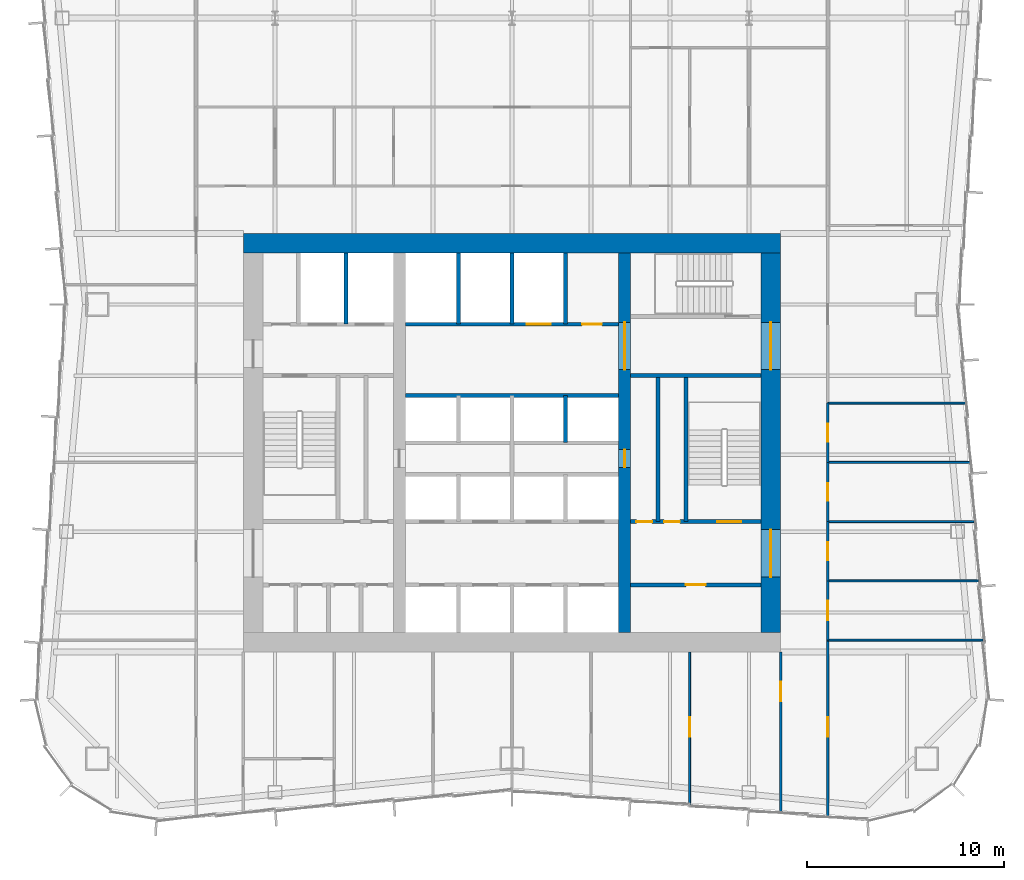
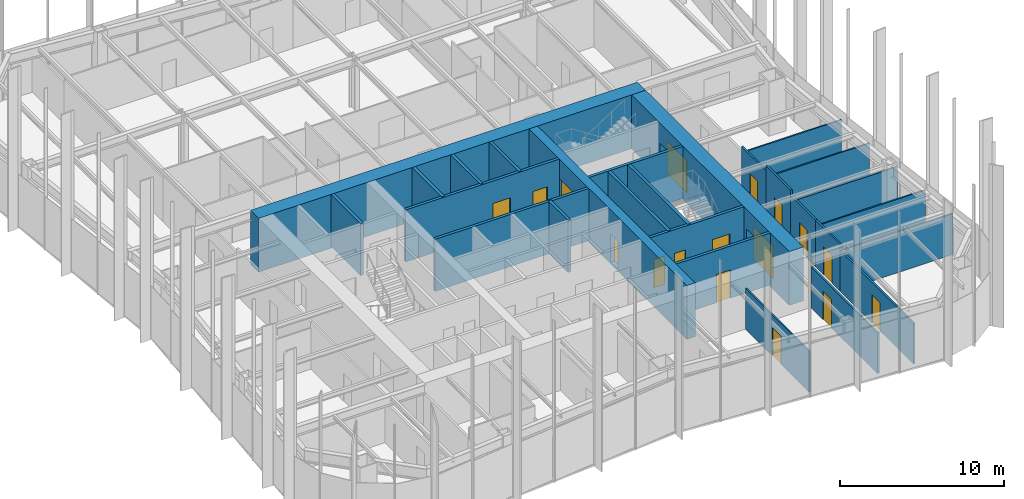
# One storey, part 11 of 14: 27 walls, 17 doors, 17 openings.
"""IFC4 building model written with IfcOpenShell, lengths in metres."""

from ifc_helpers import new_model, si_unit, direction, frame, frame_2d, origin, place, context, subcontext, project, spatial, rectangle, extrude, material, layer, layer_set, type_object, element, fill, save


model = new_model("IFC4")

# Units and contexts
model_context = context("Model", 3, precision=1e-05, world=origin(), true_north=direction((0.0, 1.0)))
body_context = subcontext(model_context, "Body", "Model", "MODEL_VIEW")
ifc_project = project(units=[si_unit("LENGTHUNIT", "METRE"), si_unit("AREAUNIT", "SQUARE_METRE"), si_unit("VOLUMEUNIT", "CUBIC_METRE"), si_unit("PLANEANGLEUNIT", "RADIAN"), si_unit("MASSUNIT", "GRAM", prefix="KILO")], contexts=[model_context])

# Site, building, storey
site_placement = place(None, origin())
site = spatial("IfcSite", under=ifc_project, at=site_placement, CompositionType="ELEMENT")
building_placement = place(site_placement, origin())
building = spatial("IfcBuilding", under=site, at=building_placement, Name="Verdant Reach Tower", CompositionType="ELEMENT")
storey_placement = place(building_placement, frame((0.0, 0.0, 150.0)))
storey = spatial("IfcBuildingStorey", under=building, at=storey_placement, Name="L34", CompositionType="ELEMENT", Elevation=150.0)

# Wall, opening, door
ifc_material_1 = material(Name="Gypsum board on steel studs", Category="steel")
ifc_layer_1 = layer(ifc_material_1, 0.199951171875)
ifc_layer_set_1 = layer_set([ifc_layer_1], Name="CO-WALL-ROOM")
wall_type_1 = type_object("IfcWallType", Name="CO-WALL-ROOM", PredefinedType="PARTITIONING", material=ifc_layer_set_1)
wall_1_placement = place(storey_placement, frame((6.0, 20.800048828125, 0.0), z_axis=(0.0, 0.0, 1.0), x_axis=(1.0, 0.0, 0.0)))
wall_1 = element("IfcWall", 1, at=wall_1_placement, inside=storey, type_object=wall_type_1, Name="Core partition, L34", PredefinedType="PARTITIONING", context=body_context, shape_type="SweptSolid", body=[
    extrude(rectangle(XDim=6.60009765625, YDim=0.199951171875, at=frame_2d((3.300048828125, 0.0))), origin(), (0.0, 0.0, 1.0), 3.8701171875),
])
opening_1_placement = place(wall_1_placement, frame((2.800048828125, 0.0, 0.0)))
opening_1 = element("IfcOpeningElement", 2, at=opening_1_placement, cuts=wall_1, Name="Opening CD", PredefinedType="OPENING", context=body_context, shape_type="SweptSolid", body=[
    extrude(rectangle(XDim=1.0, YDim=2.10009765625, at=frame_2d((0.5, 1.050048828125))), frame((0.0, 0.10986328125, 0.0), z_axis=(0.0, -1.0, 0.0), x_axis=(1.0, 0.0, 0.0)), (0.0, 0.0, 1.0), 0.219970703125),
])
ifc_material_2 = material(Name="Timber", Category="wood")
door_type_1 = type_object("IfcDoorType", Name="CO-DOOR-ROOM", OperationType="NOTDEFINED", PredefinedType="DOOR", material=ifc_material_2)
door_1_placement = place(opening_1_placement, origin())
door_1 = element("IfcDoor", 3, at=door_1_placement, inside=storey, type_object=door_type_1, Name="Core room door, L34", OperationType="SINGLE_SWING_LEFT", OverallHeight=2.10009765625, OverallWidth=1.0, PredefinedType="DOOR", context=body_context, shape_type="SweptSolid", body=[
    extrude(rectangle(XDim=1.0, YDim=2.10009765625, at=frame_2d((0.5, 1.050048828125))), frame((0.0, 0.02490234375, 0.0), z_axis=(0.0, -1.0, 0.0), x_axis=(1.0, 0.0, 0.0)), (0.0, 0.0, 1.0), 0.050048828125),
])
fill(opening_1, door_1)

# Walls
wall_2_placement = place(storey_placement, frame((7.39990234375, 24.0, 0.0), z_axis=(0.0, 0.0, 1.0), x_axis=(0.0, 1.0, 0.0)))
element("IfcWall", 4, at=wall_2_placement, inside=storey, type_object=wall_type_1, Name="Core partition, L34", PredefinedType="PARTITIONING", context=body_context, shape_type="SweptSolid", body=[
    extrude(rectangle(XDim=7.39990234375, YDim=0.199951171875, at=frame_2d((3.699951171875, 0.0))), origin(), (0.0, 0.0, 1.0), 3.8701171875),
])
ifc_material_3 = material(Name="Concrete C40/50", Category="concrete")
ifc_layer_2 = layer(ifc_material_3, 0.199951171875)
ifc_layer_set_2 = layer_set([ifc_layer_2], Name="CO-WALL-SHAFT")
wall_type_2 = type_object("IfcWallType", Name="CO-WALL-SHAFT", PredefinedType="PARTITIONING", material=ifc_layer_set_2)
wall_3_placement = place(storey_placement, frame((-5.39990234375, 30.39990234375, 0.0), z_axis=(0.0, 0.0, 1.0), x_axis=(1.0, 0.0, 0.0)))
element("IfcWall", 5, at=wall_3_placement, inside=storey, type_object=wall_type_2, Name="Lift shaft wall, L34", PredefinedType="PARTITIONING", context=body_context, shape_type="SweptSolid", body=[
    extrude(rectangle(XDim=10.7998046875, YDim=0.199951171875, at=frame_2d((5.39990234375, 0.0))), origin(), (0.0, 0.0, 1.0), 3.8701171875),
])

# Wall, openings, doors
wall_4_placement = place(storey_placement, frame((-5.39990234375, 34.0, 0.0), z_axis=(0.0, 0.0, 1.0), x_axis=(1.0, 0.0, 0.0)))
wall_4 = element("IfcWall", 6, at=wall_4_placement, inside=storey, type_object=wall_type_2, Name="Lift shaft wall, L34", PredefinedType="PARTITIONING", context=body_context, shape_type="SweptSolid", body=[
    extrude(rectangle(XDim=10.7998046875, YDim=0.199951171875, at=frame_2d((5.39990234375, 0.0))), origin(), (0.0, 0.0, 1.0), 3.8701171875),
])
opening_2_placement = place(wall_4_placement, frame((6.14990234375, 0.0, 0.0)))
opening_2 = element("IfcOpeningElement", 7, at=opening_2_placement, cuts=wall_4, Name="Opening LD-SL1", PredefinedType="OPENING", context=body_context, shape_type="SweptSolid", body=[
    extrude(rectangle(XDim=1.199951171875, YDim=2.199951171875, at=frame_2d((0.60009765625, 1.10009765625))), frame((0.0, 0.10986328125, 0.0), z_axis=(0.0, -1.0, 0.0), x_axis=(1.0, 0.0, 0.0)), (0.0, 0.0, 1.0), 0.219970703125),
])
opening_3_placement = place(wall_4_placement, frame((8.949951171875, 0.0, 0.0)))
opening_3 = element("IfcOpeningElement", 8, at=opening_3_placement, cuts=wall_4, Name="Opening CD", PredefinedType="OPENING", context=body_context, shape_type="SweptSolid", body=[
    extrude(rectangle(XDim=1.0, YDim=2.10009765625, at=frame_2d((0.5, 1.050048828125))), frame((0.0, 0.10986328125, 0.0), z_axis=(0.0, -1.0, 0.0), x_axis=(1.0, 0.0, 0.0)), (0.0, 0.0, 1.0), 0.219970703125),
])
ifc_material_4 = material(Name="Stainless steel", Category="steel")
door_type_2 = type_object("IfcDoorType", Name="CO-DOOR-LANDING", OperationType="SLIDING_TO_LEFT", PredefinedType="DOOR", material=ifc_material_4)
door_2_placement = place(opening_2_placement, origin())
door_2 = element("IfcDoor", 9, at=door_2_placement, inside=storey, type_object=door_type_2, Name="Landing door SL1, L34", OperationType="SLIDING_TO_LEFT", OverallHeight=2.199951171875, OverallWidth=1.199951171875, PredefinedType="DOOR", context=body_context, shape_type="SweptSolid", body=[
    extrude(rectangle(XDim=1.199951171875, YDim=2.199951171875, at=frame_2d((0.60009765625, 1.10009765625))), frame((0.0, 0.02490234375, 0.0), z_axis=(0.0, -1.0, 0.0), x_axis=(1.0, 0.0, 0.0)), (0.0, 0.0, 1.0), 0.050048828125),
])
fill(opening_2, door_2)
door_3_placement = place(opening_3_placement, origin())
door_3 = element("IfcDoor", 10, at=door_3_placement, inside=storey, type_object=door_type_1, Name="Core room door, L34", OperationType="SINGLE_SWING_LEFT", OverallHeight=2.10009765625, OverallWidth=1.0, PredefinedType="DOOR", context=body_context, shape_type="SweptSolid", body=[
    extrude(rectangle(XDim=1.0, YDim=2.10009765625, at=frame_2d((0.5, 1.050048828125))), frame((0.0, 0.02490234375, 0.0), z_axis=(0.0, -1.0, 0.0), x_axis=(1.0, 0.0, 0.0)), (0.0, 0.0, 1.0), 0.050048828125),
])
fill(opening_3, door_3)

# Walls
for number, where, z_axis, x_axis, name in (
    (11, (-8.39990234375, 34.0, 0.0), (0.0, 0.0, 1.0), (0.0, 1.0, 0.0), "Lift shaft wall, L34"),
    (12, (-2.699951171875, 34.0, 0.0), (0.0, 0.0, 1.0), (0.0, 1.0, 0.0), "Lift shaft wall, L34"),
    (13, (0.0, 34.0, 0.0), (0.0, 0.0, 1.0), (0.0, 1.0, 0.0), "Lift shaft wall, L34"),
):
    element("IfcWall", number, at=place(storey_placement, frame(where, z_axis=z_axis, x_axis=x_axis)), inside=storey, type_object=wall_type_2, Name=name, PredefinedType="PARTITIONING", context=body_context, shape_type="SweptSolid", body=[
        extrude(rectangle(XDim=3.60009765625, YDim=0.199951171875, at=frame_2d((1.800048828125, 0.0))), origin(), (0.0, 0.0, 1.0), 3.8701171875),
    ])
wall_5_placement = place(storey_placement, frame((2.699951171875, 28.0, 0.0), z_axis=(0.0, 0.0, 1.0), x_axis=(0.0, 1.0, 0.0)))
element("IfcWall", 14, at=wall_5_placement, inside=storey, type_object=wall_type_2, Name="Lift shaft wall, L34", PredefinedType="PARTITIONING", context=body_context, shape_type="SweptSolid", body=[
    extrude(rectangle(XDim=2.39990234375, YDim=0.199951171875, at=frame_2d((1.199951171875, 0.0))), origin(), (0.0, 0.0, 1.0), 3.8701171875),
])
wall_6_placement = place(storey_placement, frame((2.699951171875, 34.0, 0.0), z_axis=(0.0, 0.0, 1.0), x_axis=(0.0, 1.0, 0.0)))
element("IfcWall", 15, at=wall_6_placement, inside=storey, type_object=wall_type_2, Name="Lift shaft wall, L34", PredefinedType="PARTITIONING", context=body_context, shape_type="SweptSolid", body=[
    extrude(rectangle(XDim=3.60009765625, YDim=0.199951171875, at=frame_2d((1.800048828125, 0.0))), origin(), (0.0, 0.0, 1.0), 3.8701171875),
])

# Wall, openings, doors
ifc_layer_3 = layer(ifc_material_3, 0.199951171875)
ifc_layer_set_3 = layer_set([ifc_layer_3], Name="CO-WALL-STAIR")
wall_type_3 = type_object("IfcWallType", Name="CO-WALL-STAIR", PredefinedType="PARTITIONING", material=ifc_layer_set_3)
wall_7_placement = place(storey_placement, frame((6.0, 24.0, 0.0), z_axis=(0.0, 0.0, 1.0), x_axis=(1.0, 0.0, 0.0)))
wall_7 = element("IfcWall", 16, at=wall_7_placement, inside=storey, type_object=wall_type_3, Name="Stair enclosure wall, L34", PredefinedType="PARTITIONING", context=body_context, shape_type="SweptSolid", body=[
    extrude(rectangle(XDim=6.60009765625, YDim=0.199951171875, at=frame_2d((3.300048828125, 0.0))), origin(), (0.0, 0.0, 1.0), 3.8701171875),
])
opening_4_placement = place(wall_7_placement, frame((0.300048828125, 0.0, 0.0)))
opening_4 = element("IfcOpeningElement", 17, at=opening_4_placement, cuts=wall_7, Name="Opening CDN", PredefinedType="OPENING", context=body_context, shape_type="SweptSolid", body=[
    extrude(rectangle(XDim=0.800048828125, YDim=2.10009765625, at=frame_2d((0.39990234375, 1.050048828125))), frame((0.0, 0.10986328125, 0.0), z_axis=(0.0, -1.0, 0.0), x_axis=(1.0, 0.0, 0.0)), (0.0, 0.0, 1.0), 0.219970703125),
])
opening_5_placement = place(wall_7_placement, frame((1.699951171875, 0.0, 0.0)))
opening_5 = element("IfcOpeningElement", 18, at=opening_5_placement, cuts=wall_7, Name="Opening CDN", PredefinedType="OPENING", context=body_context, shape_type="SweptSolid", body=[
    extrude(rectangle(XDim=0.800048828125, YDim=2.10009765625, at=frame_2d((0.39990234375, 1.050048828125))), frame((0.0, 0.10986328125, 0.0), z_axis=(0.0, -1.0, 0.0), x_axis=(1.0, 0.0, 0.0)), (0.0, 0.0, 1.0), 0.219970703125),
])
opening_6_placement = place(wall_7_placement, frame((4.39990234375, 0.0, 0.0)))
opening_6 = element("IfcOpeningElement", 19, at=opening_6_placement, cuts=wall_7, Name="Opening SD", PredefinedType="OPENING", context=body_context, shape_type="SweptSolid", body=[
    extrude(rectangle(XDim=1.199951171875, YDim=2.199951171875, at=frame_2d((0.60009765625, 1.10009765625))), frame((0.0, 0.10986328125, 0.0), z_axis=(0.0, -1.0, 0.0), x_axis=(1.0, 0.0, 0.0)), (0.0, 0.0, 1.0), 0.219970703125),
])
door_type_3 = type_object("IfcDoorType", Name="CO-DOOR-ROOM-NARROW", OperationType="NOTDEFINED", PredefinedType="DOOR", material=ifc_material_2)
door_4_placement = place(opening_4_placement, origin())
door_4 = element("IfcDoor", 20, at=door_4_placement, inside=storey, type_object=door_type_3, Name="Core room door, L34", OperationType="SINGLE_SWING_RIGHT", OverallHeight=2.10009765625, OverallWidth=0.800048828125, PredefinedType="DOOR", context=body_context, shape_type="SweptSolid", body=[
    extrude(rectangle(XDim=0.800048828125, YDim=2.10009765625, at=frame_2d((0.39990234375, 1.050048828125))), frame((0.0, 0.02490234375, 0.0), z_axis=(0.0, -1.0, 0.0), x_axis=(1.0, 0.0, 0.0)), (0.0, 0.0, 1.0), 0.050048828125),
])
fill(opening_4, door_4)
door_5_placement = place(opening_5_placement, origin())
door_5 = element("IfcDoor", 21, at=door_5_placement, inside=storey, type_object=door_type_3, Name="Core room door, L34", OperationType="SINGLE_SWING_LEFT", OverallHeight=2.10009765625, OverallWidth=0.800048828125, PredefinedType="DOOR", context=body_context, shape_type="SweptSolid", body=[
    extrude(rectangle(XDim=0.800048828125, YDim=2.10009765625, at=frame_2d((0.39990234375, 1.050048828125))), frame((0.0, 0.02490234375, 0.0), z_axis=(0.0, -1.0, 0.0), x_axis=(1.0, 0.0, 0.0)), (0.0, 0.0, 1.0), 0.050048828125),
])
fill(opening_5, door_5)
ifc_material_5 = material(Name="Steel", Category="steel")
door_type_4 = type_object("IfcDoorType", Name="CO-DOOR-STAIR", OperationType="NOTDEFINED", PredefinedType="DOOR", material=ifc_material_5)
door_6_placement = place(opening_6_placement, origin())
door_6 = element("IfcDoor", 22, at=door_6_placement, inside=storey, type_object=door_type_4, Name="Stair door, L34", OperationType="SINGLE_SWING_LEFT", OverallHeight=2.199951171875, OverallWidth=1.199951171875, PredefinedType="DOOR", context=body_context, shape_type="SweptSolid", body=[
    extrude(rectangle(XDim=1.199951171875, YDim=2.199951171875, at=frame_2d((0.60009765625, 1.10009765625))), frame((0.0, 0.02490234375, 0.0), z_axis=(0.0, -1.0, 0.0), x_axis=(1.0, 0.0, 0.0)), (0.0, 0.0, 1.0), 0.050048828125),
])
fill(opening_6, door_6)

# Walls
wall_8_placement = place(storey_placement, frame((6.0, 31.39990234375, 0.0), z_axis=(0.0, 0.0, 1.0), x_axis=(1.0, 0.0, 0.0)))
element("IfcWall", 23, at=wall_8_placement, inside=storey, type_object=wall_type_3, Name="Stair enclosure wall, L34", PredefinedType="PARTITIONING", context=body_context, shape_type="SweptSolid", body=[
    extrude(rectangle(XDim=6.60009765625, YDim=0.199951171875, at=frame_2d((3.300048828125, 0.0))), origin(), (0.0, 0.0, 1.0), 3.8701171875),
])
wall_9_placement = place(storey_placement, frame((8.800048828125, 24.0, 0.0), z_axis=(0.0, 0.0, 1.0), x_axis=(0.0, 1.0, 0.0)))
element("IfcWall", 24, at=wall_9_placement, inside=storey, type_object=wall_type_3, Name="Stair enclosure wall, L34", PredefinedType="PARTITIONING", context=body_context, shape_type="SweptSolid", body=[
    extrude(rectangle(XDim=7.39990234375, YDim=0.199951171875, at=frame_2d((3.699951171875, 0.0))), origin(), (0.0, 0.0, 1.0), 3.8701171875),
])
ifc_layer_4 = layer(ifc_material_1, 0.10009765625)
ifc_layer_set_4 = layer_set([ifc_layer_4], Name="FL-W1 Partition 100")
wall_type_4 = type_object("IfcWallType", Name="FL-W1 Partition 100", PredefinedType="PARTITIONING", material=ifc_layer_set_4)
wall_10_placement = place(storey_placement, frame((23.85498046875, 18.0, 0.0), z_axis=(0.0, 0.0, 1.0), x_axis=(-1.0, 0.0, 0.0)))
element("IfcWall", 25, at=wall_10_placement, inside=storey, type_object=wall_type_4, Name="Partition 34.28", PredefinedType="PARTITIONING", context=body_context, shape_type="SweptSolid", body=[
    extrude(rectangle(XDim=7.85498046875, YDim=0.10009765625, at=frame_2d((3.927490234375, 0.0))), origin(), (0.0, 0.0, 1.0), 3.0400390625),
])
wall_11_placement = place(storey_placement, frame((23.6298828125, 21.0, 0.0), z_axis=(0.0, 0.0, 1.0), x_axis=(-1.0, 0.0, 0.0)))
element("IfcWall", 26, at=wall_11_placement, inside=storey, type_object=wall_type_4, Name="Partition 34.29", PredefinedType="PARTITIONING", context=body_context, shape_type="SweptSolid", body=[
    extrude(rectangle(XDim=7.6298828125, YDim=0.10009765625, at=frame_2d((3.81494140625, 0.0))), origin(), (0.0, 0.0, 1.0), 3.0400390625),
])
wall_12_placement = place(storey_placement, frame((23.405029296875, 24.0, 0.0), z_axis=(0.0, 0.0, 1.0), x_axis=(-1.0, 0.0, 0.0)))
element("IfcWall", 27, at=wall_12_placement, inside=storey, type_object=wall_type_4, Name="Partition 34.30", PredefinedType="PARTITIONING", context=body_context, shape_type="SweptSolid", body=[
    extrude(rectangle(XDim=7.405029296875, YDim=0.10009765625, at=frame_2d((3.70263671875, 0.0))), origin(), (0.0, 0.0, 1.0), 3.0400390625),
])
wall_13_placement = place(storey_placement, frame((23.179931640625, 27.0, 0.0), z_axis=(0.0, 0.0, 1.0), x_axis=(-1.0, 0.0, 0.0)))
element("IfcWall", 28, at=wall_13_placement, inside=storey, type_object=wall_type_4, Name="Partition 34.31", PredefinedType="PARTITIONING", context=body_context, shape_type="SweptSolid", body=[
    extrude(rectangle(XDim=7.179931640625, YDim=0.10009765625, at=frame_2d((3.58984375, 0.0))), origin(), (0.0, 0.0, 1.0), 3.0400390625),
])
wall_14_placement = place(storey_placement, frame((22.955078125, 30.0, 0.0), z_axis=(0.0, 0.0, 1.0), x_axis=(-1.0, 0.0, 0.0)))
element("IfcWall", 29, at=wall_14_placement, inside=storey, type_object=wall_type_4, Name="Partition 34.32", PredefinedType="PARTITIONING", context=body_context, shape_type="SweptSolid", body=[
    extrude(rectangle(XDim=6.955078125, YDim=0.10009765625, at=frame_2d((3.4775390625, 0.0))), origin(), (0.0, 0.0, 1.0), 3.0400390625),
])

# Wall, opening, door
wall_15_placement = place(storey_placement, frame((9.0, 9.669921875, 0.0), z_axis=(0.0, 0.0, 1.0), x_axis=(0.0, 1.0, 0.0)))
wall_15 = element("IfcWall", 30, at=wall_15_placement, inside=storey, type_object=wall_type_4, Name="Partition 34.42", PredefinedType="PARTITIONING", context=body_context, shape_type="SweptSolid", body=[
    extrude(rectangle(XDim=7.72998046875, YDim=0.10009765625, at=frame_2d((3.864990234375, 0.0))), origin(), (0.0, 0.0, 1.0), 3.0400390625),
])
opening_7_placement = place(wall_15_placement, frame((3.43017578125, 0.0, 0.0)))
opening_7 = element("IfcOpeningElement", 31, at=opening_7_placement, cuts=wall_15, Name="Opening D3", PredefinedType="OPENING", context=body_context, shape_type="SweptSolid", body=[
    extrude(rectangle(XDim=1.0, YDim=2.10009765625, at=frame_2d((0.5, 1.050048828125))), frame((0.0, 0.06005859375, 0.0), z_axis=(0.0, -1.0, 0.0), x_axis=(1.0, 0.0, 0.0)), (0.0, 0.0, 1.0), 0.1201171875),
])
ifc_material_6 = material(Name="Painted timber door leaf", Category="wood")
door_type_5 = type_object("IfcDoorType", Name="FL-D3 Door 1000x2100", OperationType="NOTDEFINED", PredefinedType="DOOR", material=ifc_material_6)
door_7_placement = place(opening_7_placement, origin())
door_7 = element("IfcDoor", 32, at=door_7_placement, inside=storey, type_object=door_type_5, Name="Door 34-020", OperationType="SINGLE_SWING_RIGHT", OverallHeight=2.10009765625, OverallWidth=1.0, PredefinedType="DOOR", context=body_context, shape_type="SweptSolid", body=[
    extrude(rectangle(XDim=1.0, YDim=2.10009765625, at=frame_2d((0.5, 1.050048828125))), frame((0.0, 0.02490234375, 0.0), z_axis=(0.0, -1.0, 0.0), x_axis=(1.0, 0.0, 0.0)), (0.0, 0.0, 1.0), 0.050048828125),
])
fill(opening_7, door_7)

ifc_material_7 = material(Name="Gypsum board on steel studs, fire rated", Category="steel")
ifc_layer_5 = layer(ifc_material_7, 0.125)
ifc_layer_set_5 = layer_set([ifc_layer_5], Name="FL-W2 Corridor wall 125")
wall_type_5 = type_object("IfcWallType", Name="FL-W2 Corridor wall 125", PredefinedType="PARTITIONING", material=ifc_layer_set_5)
wall_16_placement = place(storey_placement, frame((16.0, 9.086669921875, 0.0), z_axis=(0.0, 0.0, 1.0), x_axis=(0.0, 1.0, 0.0)))
wall_16 = element("IfcWall", 33, at=wall_16_placement, inside=storey, type_object=wall_type_5, Name="Partition 34.05", PredefinedType="PARTITIONING", context=body_context, shape_type="SweptSolid", body=[
    extrude(rectangle(XDim=8.913330078125, YDim=0.125, at=frame_2d((4.45654296875, 0.0))), origin(), (0.0, 0.0, 1.0), 3.0400390625),
])
opening_8_placement = place(wall_16_placement, frame((4.021728515625, 0.0, 0.0)))
opening_8 = element("IfcOpeningElement", 34, at=opening_8_placement, cuts=wall_16, Name="Opening D2", PredefinedType="OPENING", context=body_context, shape_type="SweptSolid", body=[
    extrude(rectangle(XDim=1.0, YDim=2.10009765625, at=frame_2d((0.5, 1.050048828125))), frame((0.0, 0.072509765625, 0.0), z_axis=(0.0, -1.0, 0.0), x_axis=(1.0, 0.0, 0.0)), (0.0, 0.0, 1.0), 0.14501953125),
])
ifc_material_8 = material(Name="Timber door leaf, fire rated", Category="wood")
door_type_6 = type_object("IfcDoorType", Name="FL-D2 Entrance door 1000x2100 FD30", OperationType="NOTDEFINED", PredefinedType="DOOR", material=ifc_material_8)
door_8_placement = place(opening_8_placement, origin())
door_8 = element("IfcDoor", 35, at=door_8_placement, inside=storey, type_object=door_type_6, Name="Door 34-005", OperationType="SINGLE_SWING_RIGHT", OverallHeight=2.10009765625, OverallWidth=1.0, PredefinedType="DOOR", context=body_context, shape_type="SweptSolid", body=[
    extrude(rectangle(XDim=1.0, YDim=2.10009765625, at=frame_2d((0.5, 1.050048828125))), frame((0.0, 0.02490234375, 0.0), z_axis=(0.0, -1.0, 0.0), x_axis=(1.0, 0.0, 0.0)), (0.0, 0.0, 1.0), 0.050048828125),
])
fill(opening_8, door_8)

wall_17_placement = place(storey_placement, frame((16.0, 21.0, 0.0), z_axis=(0.0, 0.0, 1.0), x_axis=(0.0, -1.0, 0.0)))
wall_17 = element("IfcWall", 36, at=wall_17_placement, inside=storey, type_object=wall_type_5, Name="Partition 34.06", PredefinedType="PARTITIONING", context=body_context, shape_type="SweptSolid", body=[
    extrude(rectangle(XDim=3.0, YDim=0.125, at=frame_2d((1.5, 0.0))), origin(), (0.0, 0.0, 1.0), 3.47998046875),
])
opening_9_placement = place(wall_17_placement, frame((1.0, 0.0, 0.0)))
opening_9 = element("IfcOpeningElement", 37, at=opening_9_placement, cuts=wall_17, Name="Opening D2", PredefinedType="OPENING", context=body_context, shape_type="SweptSolid", body=[
    extrude(rectangle(XDim=1.0, YDim=2.10009765625, at=frame_2d((0.5, 1.050048828125))), frame((0.0, 0.072509765625, 0.0), z_axis=(0.0, -1.0, 0.0), x_axis=(1.0, 0.0, 0.0)), (0.0, 0.0, 1.0), 0.14501953125),
])
door_9_placement = place(opening_9_placement, origin())
door_9 = element("IfcDoor", 38, at=door_9_placement, inside=storey, type_object=door_type_6, Name="Door 34-006", OperationType="SINGLE_SWING_RIGHT", OverallHeight=2.10009765625, OverallWidth=1.0, PredefinedType="DOOR", context=body_context, shape_type="SweptSolid", body=[
    extrude(rectangle(XDim=1.0, YDim=2.10009765625, at=frame_2d((0.5, 1.050048828125))), frame((0.0, 0.02490234375, 0.0), z_axis=(0.0, -1.0, 0.0), x_axis=(1.0, 0.0, 0.0)), (0.0, 0.0, 1.0), 0.050048828125),
])
fill(opening_9, door_9)

wall_18_placement = place(storey_placement, frame((16.0, 24.0, 0.0), z_axis=(0.0, 0.0, 1.0), x_axis=(0.0, -1.0, 0.0)))
wall_18 = element("IfcWall", 39, at=wall_18_placement, inside=storey, type_object=wall_type_5, Name="Partition 34.07", PredefinedType="PARTITIONING", context=body_context, shape_type="SweptSolid", body=[
    extrude(rectangle(XDim=3.0, YDim=0.125, at=frame_2d((1.5, 0.0))), origin(), (0.0, 0.0, 1.0), 3.47998046875),
])
opening_10_placement = place(wall_18_placement, frame((1.050048828125, 0.0, 0.0)))
opening_10 = element("IfcOpeningElement", 40, at=opening_10_placement, cuts=wall_18, Name="Opening D1", PredefinedType="OPENING", context=body_context, shape_type="SweptSolid", body=[
    extrude(rectangle(XDim=0.89990234375, YDim=2.10009765625, at=frame_2d((0.449951171875, 1.050048828125))), frame((0.0, 0.072509765625, 0.0), z_axis=(0.0, -1.0, 0.0), x_axis=(1.0, 0.0, 0.0)), (0.0, 0.0, 1.0), 0.14501953125),
])
door_type_7 = type_object("IfcDoorType", Name="FL-D1 Door 900x2100", OperationType="NOTDEFINED", PredefinedType="DOOR", material=ifc_material_6)
door_10_placement = place(opening_10_placement, origin())
door_10 = element("IfcDoor", 41, at=door_10_placement, inside=storey, type_object=door_type_7, Name="Door 34-007", OperationType="SINGLE_SWING_LEFT", OverallHeight=2.10009765625, OverallWidth=0.89990234375, PredefinedType="DOOR", context=body_context, shape_type="SweptSolid", body=[
    extrude(rectangle(XDim=0.89990234375, YDim=2.10009765625, at=frame_2d((0.449951171875, 1.050048828125))), frame((0.0, 0.02490234375, 0.0), z_axis=(0.0, -1.0, 0.0), x_axis=(1.0, 0.0, 0.0)), (0.0, 0.0, 1.0), 0.050048828125),
])
fill(opening_10, door_10)

wall_19_placement = place(storey_placement, frame((16.0, 27.0, 0.0), z_axis=(0.0, 0.0, 1.0), x_axis=(0.0, -1.0, 0.0)))
wall_19 = element("IfcWall", 42, at=wall_19_placement, inside=storey, type_object=wall_type_5, Name="Partition 34.08", PredefinedType="PARTITIONING", context=body_context, shape_type="SweptSolid", body=[
    extrude(rectangle(XDim=3.0, YDim=0.125, at=frame_2d((1.5, 0.0))), origin(), (0.0, 0.0, 1.0), 3.8701171875),
])
opening_11_placement = place(wall_19_placement, frame((1.050048828125, 0.0, 0.0)))
opening_11 = element("IfcOpeningElement", 43, at=opening_11_placement, cuts=wall_19, Name="Opening D1", PredefinedType="OPENING", context=body_context, shape_type="SweptSolid", body=[
    extrude(rectangle(XDim=0.89990234375, YDim=2.10009765625, at=frame_2d((0.449951171875, 1.050048828125))), frame((0.0, 0.072509765625, 0.0), z_axis=(0.0, -1.0, 0.0), x_axis=(1.0, 0.0, 0.0)), (0.0, 0.0, 1.0), 0.14501953125),
])
door_11_placement = place(opening_11_placement, origin())
door_11 = element("IfcDoor", 44, at=door_11_placement, inside=storey, type_object=door_type_7, Name="Door 34-008", OperationType="SINGLE_SWING_RIGHT", OverallHeight=2.10009765625, OverallWidth=0.89990234375, PredefinedType="DOOR", context=body_context, shape_type="SweptSolid", body=[
    extrude(rectangle(XDim=0.89990234375, YDim=2.10009765625, at=frame_2d((0.449951171875, 1.050048828125))), frame((0.0, 0.02490234375, 0.0), z_axis=(0.0, -1.0, 0.0), x_axis=(1.0, 0.0, 0.0)), (0.0, 0.0, 1.0), 0.050048828125),
])
fill(opening_11, door_11)

wall_20_placement = place(storey_placement, frame((16.0, 30.0, 0.0), z_axis=(0.0, 0.0, 1.0), x_axis=(0.0, -1.0, 0.0)))
wall_20 = element("IfcWall", 45, at=wall_20_placement, inside=storey, type_object=wall_type_5, Name="Partition 34.09", PredefinedType="PARTITIONING", context=body_context, shape_type="SweptSolid", body=[
    extrude(rectangle(XDim=3.0, YDim=0.125, at=frame_2d((1.5, 0.0))), origin(), (0.0, 0.0, 1.0), 3.47998046875),
])
opening_12_placement = place(wall_20_placement, frame((1.050048828125, 0.0, 0.0)))
opening_12 = element("IfcOpeningElement", 46, at=opening_12_placement, cuts=wall_20, Name="Opening D1", PredefinedType="OPENING", context=body_context, shape_type="SweptSolid", body=[
    extrude(rectangle(XDim=0.89990234375, YDim=2.10009765625, at=frame_2d((0.449951171875, 1.050048828125))), frame((0.0, 0.072509765625, 0.0), z_axis=(0.0, -1.0, 0.0), x_axis=(1.0, 0.0, 0.0)), (0.0, 0.0, 1.0), 0.14501953125),
])
door_12_placement = place(opening_12_placement, origin())
door_12 = element("IfcDoor", 47, at=door_12_placement, inside=storey, type_object=door_type_7, Name="Door 34-009", OperationType="SINGLE_SWING_LEFT", OverallHeight=2.10009765625, OverallWidth=0.89990234375, PredefinedType="DOOR", context=body_context, shape_type="SweptSolid", body=[
    extrude(rectangle(XDim=0.89990234375, YDim=2.10009765625, at=frame_2d((0.449951171875, 1.050048828125))), frame((0.0, 0.02490234375, 0.0), z_axis=(0.0, -1.0, 0.0), x_axis=(1.0, 0.0, 0.0)), (0.0, 0.0, 1.0), 0.050048828125),
])
fill(opening_12, door_12)

wall_21_placement = place(storey_placement, frame((13.60009765625, 9.28662109375, 0.0), z_axis=(0.0, 0.0, 1.0), x_axis=(0.0, 1.0, 0.0)))
wall_21 = element("IfcWall", 48, at=wall_21_placement, inside=storey, type_object=wall_type_5, Name="Partition 34.14", PredefinedType="PARTITIONING", context=body_context, shape_type="SweptSolid", body=[
    extrude(rectangle(XDim=8.11328125, YDim=0.125, at=frame_2d((4.056640625, 0.0))), origin(), (0.0, 0.0, 1.0), 3.0400390625),
])
opening_13_placement = place(wall_21_placement, frame((5.621826171875, 0.0, 0.0)))
opening_13 = element("IfcOpeningElement", 49, at=opening_13_placement, cuts=wall_21, Name="Opening D2", PredefinedType="OPENING", context=body_context, shape_type="SweptSolid", body=[
    extrude(rectangle(XDim=1.0, YDim=2.10009765625, at=frame_2d((0.5, 1.050048828125))), frame((0.0, 0.072509765625, 0.0), z_axis=(0.0, -1.0, 0.0), x_axis=(1.0, 0.0, 0.0)), (0.0, 0.0, 1.0), 0.14501953125),
])
door_13_placement = place(opening_13_placement, origin())
door_13 = element("IfcDoor", 50, at=door_13_placement, inside=storey, type_object=door_type_6, Name="Door 34-012", OperationType="SINGLE_SWING_RIGHT", OverallHeight=2.10009765625, OverallWidth=1.0, PredefinedType="DOOR", context=body_context, shape_type="SweptSolid", body=[
    extrude(rectangle(XDim=1.0, YDim=2.10009765625, at=frame_2d((0.5, 1.050048828125))), frame((0.0, 0.02490234375, 0.0), z_axis=(0.0, -1.0, 0.0), x_axis=(1.0, 0.0, 0.0)), (0.0, 0.0, 1.0), 0.050048828125),
])
fill(opening_13, door_13)

# Wall
ifc_material_9 = material(Name="Concrete C70/85", Category="concrete")
ifc_layer_6 = layer(ifc_material_9, 1.0)
ifc_layer_set_6 = layer_set([ifc_layer_6], Name="ST-CORE-WALL-1000")
wall_type_6 = type_object("IfcWallType", Name="ST-CORE-WALL-1000", PredefinedType="SHEAR", material=ifc_layer_set_6)
wall_22_placement = place(storey_placement, frame((-13.60009765625, 38.10009765625, -0.1298828125), z_axis=(0.0, 0.0, 1.0), x_axis=(1.0, 0.0, 0.0)))
element("IfcWall", 51, at=wall_22_placement, inside=storey, type_object=wall_type_6, Name="Core wall N, L34", PredefinedType="SHEAR", context=body_context, shape_type="SweptSolid", body=[
    extrude(rectangle(XDim=27.2001953125, YDim=1.0, at=frame_2d((13.60009765625, 0.0))), origin(), (0.0, 0.0, 1.0), 4.0),
])

# Wall, openings, doors
wall_23_placement = place(storey_placement, frame((13.10009765625, 18.39990234375, -0.1298828125), z_axis=(0.0, 0.0, 1.0), x_axis=(0.0, 1.0, 0.0)))
wall_23 = element("IfcWall", 52, at=wall_23_placement, inside=storey, type_object=wall_type_6, Name="Core wall E, L34", PredefinedType="SHEAR", context=body_context, shape_type="SweptSolid", body=[
    extrude(rectangle(XDim=19.2001953125, YDim=1.0, at=frame_2d((9.60009765625, 0.0))), origin(), (0.0, 0.0, 1.0), 4.0),
])
opening_14_placement = place(wall_23_placement, frame((2.800048828125, 0.0, 0.1298828125)))
opening_14 = element("IfcOpeningElement", 53, at=opening_14_placement, cuts=wall_23, Name="Opening LB", PredefinedType="OPENING", context=body_context, shape_type="SweptSolid", body=[
    extrude(rectangle(XDim=2.39990234375, YDim=2.39990234375, at=frame_2d((1.199951171875, 1.199951171875))), frame((0.0, 0.510009765625, 0.0), z_axis=(0.0, -1.0, 0.0), x_axis=(1.0, 0.0, 0.0)), (0.0, 0.0, 1.0), 1.02001953125),
])
opening_15_placement = place(wall_23_placement, frame((13.300048828125, 0.0, 0.1298828125)))
opening_15 = element("IfcOpeningElement", 54, at=opening_15_placement, cuts=wall_23, Name="Opening LB", PredefinedType="OPENING", context=body_context, shape_type="SweptSolid", body=[
    extrude(rectangle(XDim=2.39990234375, YDim=2.39990234375, at=frame_2d((1.199951171875, 1.199951171875))), frame((0.0, 0.510009765625, 0.0), z_axis=(0.0, -1.0, 0.0), x_axis=(1.0, 0.0, 0.0)), (0.0, 0.0, 1.0), 1.02001953125),
])
ifc_material_10 = material(Name="Glass and steel", Category="steel")
door_type_8 = type_object("IfcDoorType", Name="CO-DOOR-LOBBY", OperationType="DOUBLE_DOOR_SINGLE_SWING", PredefinedType="DOOR", material=ifc_material_10)
door_14_placement = place(opening_14_placement, origin())
door_14 = element("IfcDoor", 55, at=door_14_placement, inside=storey, type_object=door_type_8, Name="Core entrance door, L34", OperationType="DOUBLE_DOOR_SINGLE_SWING", OverallHeight=2.39990234375, OverallWidth=2.39990234375, PredefinedType="DOOR", context=body_context, shape_type="SweptSolid", body=[
    extrude(rectangle(XDim=2.39990234375, YDim=2.39990234375, at=frame_2d((1.199951171875, 1.199951171875))), frame((0.0, 0.02490234375, 0.0), z_axis=(0.0, -1.0, 0.0), x_axis=(1.0, 0.0, 0.0)), (0.0, 0.0, 1.0), 0.050048828125),
])
fill(opening_14, door_14)
door_15_placement = place(opening_15_placement, origin())
door_15 = element("IfcDoor", 56, at=door_15_placement, inside=storey, type_object=door_type_8, Name="Core entrance door, L34", OperationType="DOUBLE_DOOR_SINGLE_SWING", OverallHeight=2.39990234375, OverallWidth=2.39990234375, PredefinedType="DOOR", context=body_context, shape_type="SweptSolid", body=[
    extrude(rectangle(XDim=2.39990234375, YDim=2.39990234375, at=frame_2d((1.199951171875, 1.199951171875))), frame((0.0, 0.02490234375, 0.0), z_axis=(0.0, -1.0, 0.0), x_axis=(1.0, 0.0, 0.0)), (0.0, 0.0, 1.0), 0.050048828125),
])
fill(opening_15, door_15)

ifc_layer_7 = layer(ifc_material_9, 0.60009765625)
ifc_layer_set_7 = layer_set([ifc_layer_7], Name="ST-CORE-WALL-600")
wall_type_7 = type_object("IfcWallType", Name="ST-CORE-WALL-600", PredefinedType="SHEAR", material=ifc_layer_set_7)
wall_24_placement = place(storey_placement, frame((5.699951171875, 18.39990234375, -0.1298828125), z_axis=(0.0, 0.0, 1.0), x_axis=(0.0, 1.0, 0.0)))
wall_24 = element("IfcWall", 57, at=wall_24_placement, inside=storey, type_object=wall_type_7, Name="Core wall XE, L34", PredefinedType="SHEAR", context=body_context, shape_type="SweptSolid", body=[
    extrude(rectangle(XDim=19.2001953125, YDim=0.60009765625, at=frame_2d((9.60009765625, 0.0))), origin(), (0.0, 0.0, 1.0), 4.0),
])
opening_16_placement = place(wall_24_placement, frame((8.35009765625, 0.0, 0.1298828125)))
opening_16 = element("IfcOpeningElement", 58, at=opening_16_placement, cuts=wall_24, Name="Opening RD", PredefinedType="OPENING", context=body_context, shape_type="SweptSolid", body=[
    extrude(rectangle(XDim=0.89990234375, YDim=2.10009765625, at=frame_2d((0.449951171875, 1.050048828125))), frame((0.0, 0.31005859375, 0.0), z_axis=(0.0, -1.0, 0.0), x_axis=(1.0, 0.0, 0.0)), (0.0, 0.0, 1.0), 0.6201171875),
])
opening_17_placement = place(wall_24_placement, frame((13.300048828125, 0.0, 0.1298828125)))
opening_17 = element("IfcOpeningElement", 59, at=opening_17_placement, cuts=wall_24, Name="Opening LB", PredefinedType="OPENING", context=body_context, shape_type="SweptSolid", body=[
    extrude(rectangle(XDim=2.39990234375, YDim=2.39990234375, at=frame_2d((1.199951171875, 1.199951171875))), frame((0.0, 0.31005859375, 0.0), z_axis=(0.0, -1.0, 0.0), x_axis=(1.0, 0.0, 0.0)), (0.0, 0.0, 1.0), 0.6201171875),
])
door_16_placement = place(opening_17_placement, origin())
door_16 = element("IfcDoor", 60, at=door_16_placement, inside=storey, type_object=door_type_8, Name="Core entrance door, L34", OperationType="DOUBLE_DOOR_SINGLE_SWING", OverallHeight=2.39990234375, OverallWidth=2.39990234375, PredefinedType="DOOR", context=body_context, shape_type="SweptSolid", body=[
    extrude(rectangle(XDim=2.39990234375, YDim=2.39990234375, at=frame_2d((1.199951171875, 1.199951171875))), frame((0.0, 0.02490234375, 0.0), z_axis=(0.0, -1.0, 0.0), x_axis=(1.0, 0.0, 0.0)), (0.0, 0.0, 1.0), 0.050048828125),
])
fill(opening_17, door_16)
door_type_9 = type_object("IfcDoorType", Name="CO-DOOR-RISER", OperationType="NOTDEFINED", PredefinedType="DOOR", material=ifc_material_5)
door_17_placement = place(opening_16_placement, origin())
door_17 = element("IfcDoor", 61, at=door_17_placement, inside=storey, type_object=door_type_9, Name="Riser door, L34", OperationType="SINGLE_SWING_RIGHT", OverallHeight=2.10009765625, OverallWidth=0.89990234375, PredefinedType="DOOR", context=body_context, shape_type="SweptSolid", body=[
    extrude(rectangle(XDim=0.89990234375, YDim=2.10009765625, at=frame_2d((0.449951171875, 1.050048828125))), frame((0.0, 0.02490234375, 0.0), z_axis=(0.0, -1.0, 0.0), x_axis=(1.0, 0.0, 0.0)), (0.0, 0.0, 1.0), 0.050048828125),
])
fill(opening_16, door_17)

save(model, "model.ifc")
